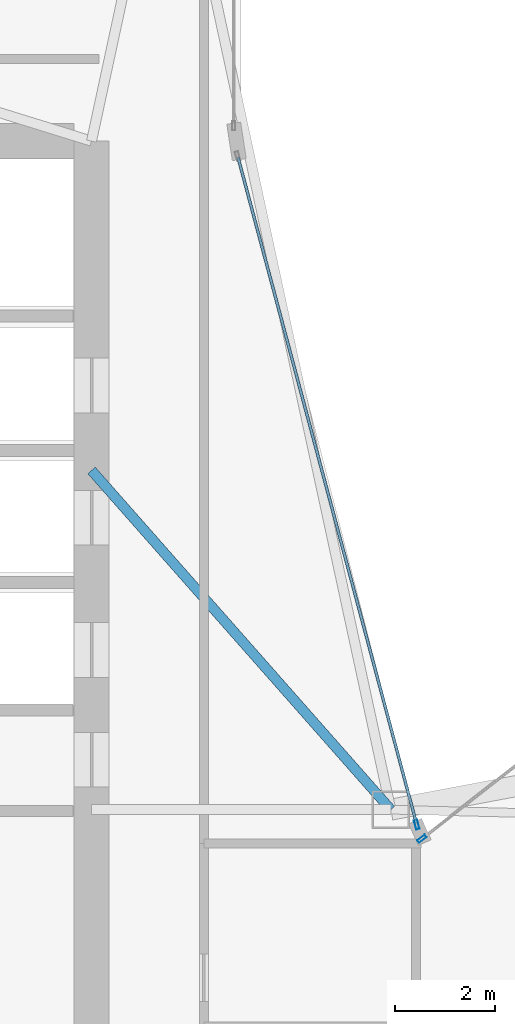
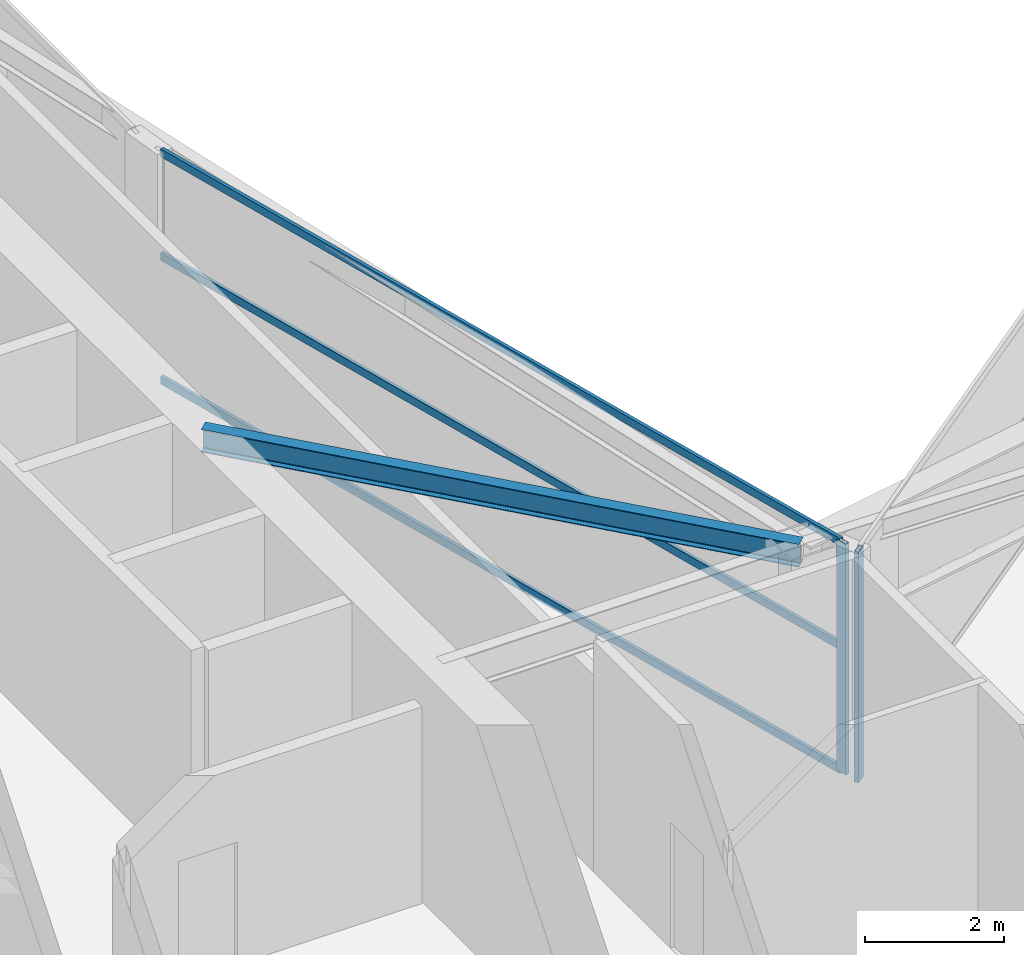
# One storey, part 10 of 29: 5 members, 1 beam, 2 elements without a shape of their own.
"""IFC4 building model written with IfcOpenShell, lengths in metres."""

from ifc_helpers import new_model, si_unit, direction, frame, origin, origin_2d, place, context, subcontext, project, spatial, hollow_rectangle, i_section, extrude, material, layer, layer_set, material_profile, profile_set, type_object, element, aggregate, save


model = new_model("IFC4")

# Units and contexts
model_context = context("Model", 3, precision=1e-05, world=origin(), true_north=direction((0.0, 1.0)))
body_context = subcontext(model_context, "Body", "Model", "MODEL_VIEW")
ifc_project = project(units=[si_unit("LENGTHUNIT", "METRE"), si_unit("AREAUNIT", "SQUARE_METRE"), si_unit("VOLUMEUNIT", "CUBIC_METRE"), si_unit("PLANEANGLEUNIT", "RADIAN"), si_unit("MASSUNIT", "GRAM", prefix="KILO")], contexts=[model_context])

# Site, building, storey
site_placement = place(None, origin())
site = spatial("IfcSite", under=ifc_project, at=site_placement, CompositionType="ELEMENT")
building_placement = place(site_placement, origin())
building = spatial("IfcBuilding", under=site, at=building_placement, Name="Calvorn Quay Hotel", CompositionType="ELEMENT")
storey_placement = place(building_placement, frame((0.0, 0.0, 214.800048828125)))
storey = spatial("IfcBuildingStorey", under=building, at=storey_placement, Name="L53", CompositionType="ELEMENT", Elevation=214.800048828125)

# Beam
ifc_material_1 = material(Name="Steel Q355B", Category="steel")
ifc_material_profile_1 = material_profile(ifc_material_1, i_section(OverallWidth=0.199951171875, OverallDepth=0.39990234375, WebThickness=0.008056640625, FlangeThickness=0.012939453125, FilletRadius=0.01611328125, at=origin_2d()), Name="HN400x200x8x13")
ifc_profile_set_1 = profile_set([ifc_material_profile_1], Name="Steel Q355B")
beam_type = type_object("IfcBeamType", Name="BM-JOIST-TYP", PredefinedType="JOIST", material=ifc_profile_set_1)
beam_placement = place(storey_placement, frame((15.0, 31.800048828125, 3.849853515625), z_axis=(0.661618965899, -0.749840212287, 0.0), x_axis=(0.749840212287, 0.661618965899, 0.0)))
element("IfcBeam", 1, at=beam_placement, inside=storey, type_object=beam_type, Name="Beam BJ-L53-C1", PredefinedType="JOIST", context=body_context, shape_type="SweptSolid", body=[
    extrude(i_section(OverallWidth=0.199951171875, OverallDepth=0.39990234375, WebThickness=0.008056640625, FlangeThickness=0.012939453125, FilletRadius=0.01611328125, at=origin_2d()), origin(), (0.0, 0.0, 1.0), 9.068603515625),
])

# Curtain wall, member
ifc_material_2 = material(Name="Champagne Bronze Anodised Aluminium and Low-E Glass", Category="aluminium")
ifc_layer = layer(ifc_material_2, 0.219970703125)
ifc_layer_set = layer_set([ifc_layer], Name="CW-SYS-Z3")
curtain_wall_type = type_object("IfcCurtainWallType", Name="CW-SYS-Z3", PredefinedType="NOTDEFINED", material=ifc_layer_set)
curtain_wall_1_placement = place(storey_placement, origin())
curtain_wall_1 = element("IfcCurtainWall", 2, at=curtain_wall_1_placement, inside=storey, type_object=curtain_wall_type, Name="Inner Court Curtain Wall L53-NE1", PredefinedType="NOTDEFINED")
ifc_material_3 = material(Name="Champagne Bronze Anodised Aluminium 6063-T6", Category="aluminium")
ifc_material_profile_2 = material_profile(ifc_material_3, hollow_rectangle(XDim=0.068115234375, YDim=0.18505859375, WallThickness=0.00390625, at=origin_2d()), Name="ALU-M185x68x4")
ifc_profile_set_2 = profile_set([ifc_material_profile_2], Name="Champagne Bronze Anodised Aluminium 6063-T6")
member_type_1 = type_object("IfcMemberType", Name="CW-SYS-Z3-MUL", PredefinedType="MULLION", material=ifc_profile_set_2)
member_1_placement = place(storey_placement, frame((21.62353515625, 24.41845703125, 0.0), z_axis=(0.0, 0.0, 1.0), x_axis=(0.615819768044, -0.787887056174, 0.0)))
member_1 = element("IfcMember", 3, at=member_1_placement, type_object=member_type_1, Name="CW-L53-NE1 mullion 3", PredefinedType="MULLION", context=body_context, shape_type="SweptSolid", body=[
    extrude(hollow_rectangle(XDim=0.068115234375, YDim=0.18505859375, WallThickness=0.00390625, at=origin_2d()), origin(), (0.0, 0.0, 1.0), 4.050048828125),
])
aggregate(curtain_wall_1, [member_1])

# Curtain wall, members
curtain_wall_2_placement = place(storey_placement, origin())
curtain_wall_2 = element("IfcCurtainWall", 4, at=curtain_wall_2_placement, inside=storey, type_object=curtain_wall_type, Name="Inner Court Curtain Wall L53-IC1", PredefinedType="NOTDEFINED")
member_2_placement = place(storey_placement, frame((21.520263671875, 24.698974609375, 0.0), z_axis=(0.0, 0.0, 1.0), x_axis=(-0.96593652056, -0.25877913024, 0.0)))
member_2 = element("IfcMember", 5, at=member_2_placement, type_object=member_type_1, Name="CW-L53-IC1 mullion 1", PredefinedType="MULLION", context=body_context, shape_type="SweptSolid", body=[
    extrude(hollow_rectangle(XDim=0.068115234375, YDim=0.18505859375, WallThickness=0.00390625, at=origin_2d()), origin(), (0.0, 0.0, 1.0), 4.050048828125),
])
ifc_material_4 = material(Name="Champagne Bronze Anodised Aluminium 6063-T6", Category="aluminium")
ifc_material_profile_3 = material_profile(ifc_material_4, hollow_rectangle(XDim=0.05810546875, YDim=0.139892578125, WallThickness=0.003173828125, at=origin_2d()), Name="ALU-T140x58x3.2")
ifc_profile_set_3 = profile_set([ifc_material_profile_3], Name="Champagne Bronze Anodised Aluminium 6063-T6")
member_type_2 = type_object("IfcMemberType", Name="CW-SYS-Z3-TRN", PredefinedType="USERDEFINED", material=ifc_profile_set_3)
member_3_placement = place(storey_placement, frame((21.512451171875, 24.72802734375, 0.030029296875), z_axis=(-0.258781136883, 0.965935982969, 0.0), x_axis=(-0.965935982969, -0.258781136883, 0.0)))
member_3 = element("IfcMember", 6, at=member_3_placement, type_object=member_type_2, Name="CW-L53-IC1 transom 1.1", ObjectType="TRANSOM", PredefinedType="USERDEFINED", context=body_context, shape_type="SweptSolid", body=[
    extrude(hollow_rectangle(XDim=0.05810546875, YDim=0.139892578125, WallThickness=0.003173828125, at=origin_2d()), origin(), (0.0, 0.0, 1.0), 13.814453125),
])
member_4_placement = place(storey_placement, frame((21.512451171875, 24.72802734375, 2.199951171875), z_axis=(-0.258781136883, 0.965935982969, 0.0), x_axis=(-0.965935982969, -0.258781136883, 0.0)))
member_4 = element("IfcMember", 7, at=member_4_placement, type_object=member_type_2, Name="CW-L53-IC1 transom 1.2", ObjectType="TRANSOM", PredefinedType="USERDEFINED", context=body_context, shape_type="SweptSolid", body=[
    extrude(hollow_rectangle(XDim=0.05810546875, YDim=0.139892578125, WallThickness=0.003173828125, at=origin_2d()), origin(), (0.0, 0.0, 1.0), 13.814453125),
])
member_5_placement = place(storey_placement, frame((21.512451171875, 24.72802734375, 4.02001953125), z_axis=(-0.258781136883, 0.965935982969, 0.0), x_axis=(-0.965935982969, -0.258781136883, 0.0)))
member_5 = element("IfcMember", 8, at=member_5_placement, type_object=member_type_2, Name="CW-L53-IC1 transom 1.3", ObjectType="TRANSOM", PredefinedType="USERDEFINED", context=body_context, shape_type="SweptSolid", body=[
    extrude(hollow_rectangle(XDim=0.05810546875, YDim=0.139892578125, WallThickness=0.003173828125, at=origin_2d()), origin(), (0.0, 0.0, 1.0), 13.814453125),
])
aggregate(curtain_wall_2, [member_2, member_3, member_4, member_5])

save(model, "model.ifc")
